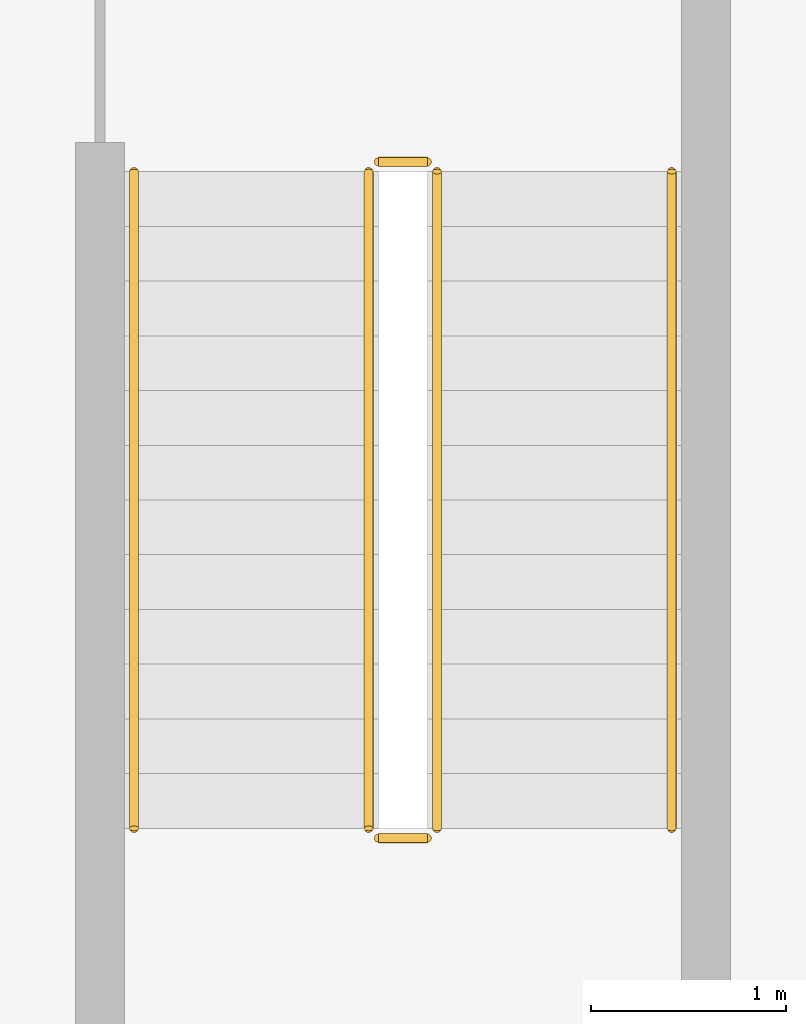
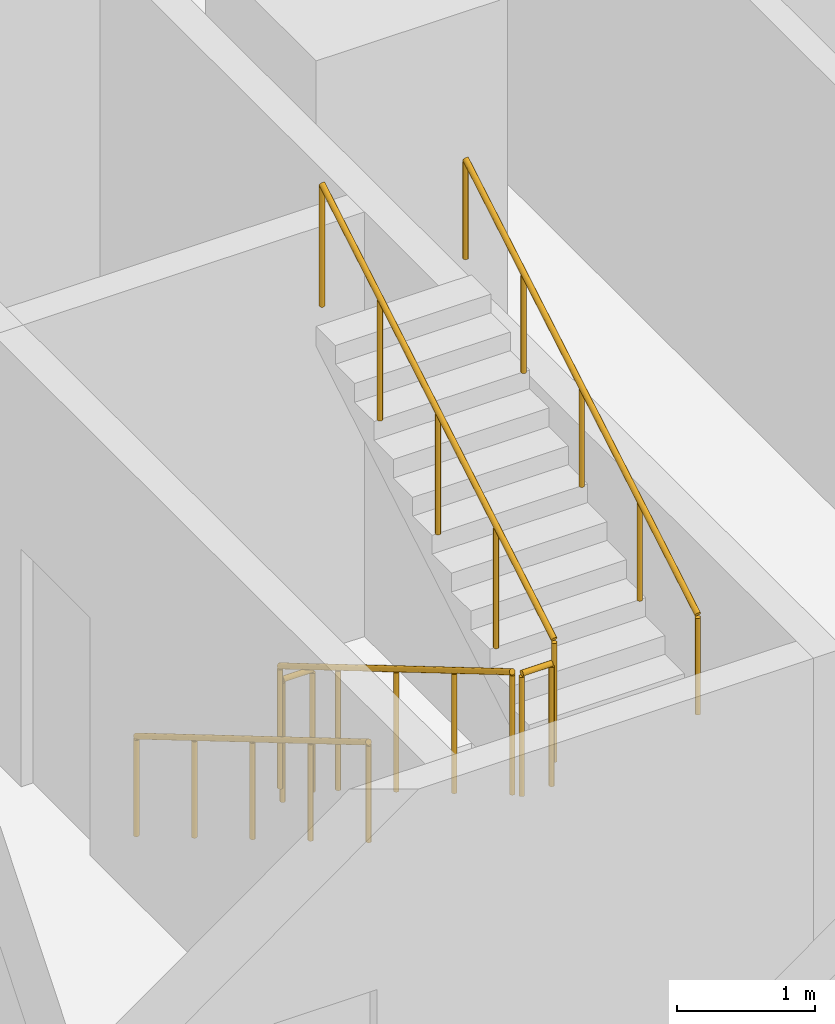
# One storey, part 24 of 29: 6 railings.
"""IFC4 building model written with IfcOpenShell, lengths in metres."""

from ifc_helpers import new_model, si_unit, direction, frame, origin, origin_2d, place, context, subcontext, project, spatial, circle, extrude, material, type_object, element, save


model = new_model("IFC4")

# Units and contexts
model_context = context("Model", 3, precision=1e-05, world=origin(), true_north=direction((0.0, 1.0)))
body_context = subcontext(model_context, "Body", "Model", "MODEL_VIEW")
ifc_project = project(units=[si_unit("LENGTHUNIT", "METRE"), si_unit("AREAUNIT", "SQUARE_METRE"), si_unit("VOLUMEUNIT", "CUBIC_METRE"), si_unit("PLANEANGLEUNIT", "RADIAN"), si_unit("MASSUNIT", "GRAM", prefix="KILO")], contexts=[model_context])

# Site, building, storey
site_placement = place(None, origin())
site = spatial("IfcSite", under=ifc_project, at=site_placement, CompositionType="ELEMENT")
building_placement = place(site_placement, origin())
building = spatial("IfcBuilding", under=site, at=building_placement, Name="Mahtab Terrace Research Tower", CompositionType="ELEMENT")
storey_placement = place(building_placement, frame((0.0, 0.0, 37.300048828125)))
storey = spatial("IfcBuildingStorey", under=building, at=storey_placement, Name="L08", CompositionType="ELEMENT", Elevation=37.300048828125)

# Railings
ifc_material = material(Name="Stainless steel AISI 304", Category="steel")
railing_type_1 = type_object("IfcRailingType", Name="Stair guard 1100", PredefinedType="GUARDRAIL", material=ifc_material)
railing_1_placement = place(storey_placement, frame((2.949951171875, -4.175048828125, 0.165283203125)))
element("IfcRailing", 1, at=railing_1_placement, inside=storey, type_object=railing_type_1, Name="L08 ST2 stair guard 1", PredefinedType="GUARDRAIL", context=body_context, shape_type="SweptSolid", body=[
    extrude(circle(Radius=0.02392578125, at=origin_2d()), frame((0.0, 0.0, 1.076171875), z_axis=(0.0, -0.861011212953, 0.508585972249), x_axis=(1.0, 0.0, 0.0)), (0.0, 0.0, 1.0), 3.90234375),
    extrude(circle(Radius=0.02099609375, at=origin_2d()), origin(), (0.0, 0.0, 1.0), 1.052001953125),
    extrude(circle(Radius=0.02099609375, at=origin_2d()), frame((0.0, -0.83984375, 0.49609375)), (0.0, 0.0, 1.0), 1.052001953125),
    extrude(circle(Radius=0.02099609375, at=origin_2d()), frame((0.0, -1.679931640625, 0.9921875)), (0.0, 0.0, 1.0), 1.052001953125),
    extrude(circle(Radius=0.02099609375, at=origin_2d()), frame((0.0, -2.52001953125, 1.488525390625)), (0.0, 0.0, 1.0), 1.052001953125),
    extrude(circle(Radius=0.02099609375, at=origin_2d()), frame((0.0, -3.35986328125, 1.984619140625)), (0.0, 0.0, 1.0), 1.052001953125),
])
railing_2_placement = place(storey_placement, frame((3.0, -7.5849609375, 2.14990234375)))
element("IfcRailing", 2, at=railing_2_placement, inside=storey, type_object=railing_type_1, Name="L08 ST2 stair guard 2", PredefinedType="GUARDRAIL", context=body_context, shape_type="SweptSolid", body=[
    extrude(circle(Radius=0.02392578125, at=origin_2d()), frame((0.0, 0.0, 1.076171875), z_axis=(1.0, 0.0, 0.0), x_axis=(0.0, 1.0, 0.0)), (0.0, 0.0, 1.0), 0.25),
    extrude(circle(Radius=0.02099609375, at=origin_2d()), origin(), (0.0, 0.0, 1.0), 1.052001953125),
    extrude(circle(Radius=0.02099609375, at=origin_2d()), frame((0.25, 0.0, 0.0)), (0.0, 0.0, 1.0), 1.052001953125),
])
railing_3_placement = place(storey_placement, frame((3.300048828125, -7.534912109375, 2.3154296875)))
element("IfcRailing", 3, at=railing_3_placement, inside=storey, type_object=railing_type_1, Name="L08 ST2 stair guard 3", PredefinedType="GUARDRAIL", context=body_context, shape_type="SweptSolid", body=[
    extrude(circle(Radius=0.02392578125, at=origin_2d()), frame((0.0, 0.0, 1.076171875), z_axis=(0.0, 0.861011212953, 0.508585972249), x_axis=(-1.0, 0.0, 0.0)), (0.0, 0.0, 1.0), 3.90234375),
    extrude(circle(Radius=0.02099609375, at=origin_2d()), origin(), (0.0, 0.0, 1.0), 1.052001953125),
    extrude(circle(Radius=0.02099609375, at=origin_2d()), frame((0.0, 0.83984375, 0.49609375)), (0.0, 0.0, 1.0), 1.052001953125),
    extrude(circle(Radius=0.02099609375, at=origin_2d()), frame((0.0, 1.679931640625, 0.9921875)), (0.0, 0.0, 1.0), 1.052001953125),
    extrude(circle(Radius=0.02099609375, at=origin_2d()), frame((0.0, 2.52001953125, 1.488525390625)), (0.0, 0.0, 1.0), 1.052001953125),
    extrude(circle(Radius=0.02099609375, at=origin_2d()), frame((0.0, 3.35986328125, 1.984619140625)), (0.0, 0.0, 1.0), 1.052001953125),
])
railing_4_placement = place(storey_placement, frame((3.0, -4.125, 0.0)))
element("IfcRailing", 4, at=railing_4_placement, inside=storey, type_object=railing_type_1, Name="L08 ST2 stair guard 4", PredefinedType="GUARDRAIL", context=body_context, shape_type="SweptSolid", body=[
    extrude(circle(Radius=0.02392578125, at=origin_2d()), frame((0.0, 0.0, 1.076171875), z_axis=(1.0, 0.0, 0.0), x_axis=(0.0, 1.0, 0.0)), (0.0, 0.0, 1.0), 0.25),
    extrude(circle(Radius=0.02099609375, at=origin_2d()), origin(), (0.0, 0.0, 1.0), 1.052001953125),
    extrude(circle(Radius=0.02099609375, at=origin_2d()), frame((0.25, 0.0, 0.0)), (0.0, 0.0, 1.0), 1.052001953125),
])
railing_type_2 = type_object("IfcRailingType", Name="Stair handrail 900", PredefinedType="HANDRAIL", material=ifc_material)
railing_5_placement = place(storey_placement, frame((1.75, -4.175048828125, 0.165283203125)))
element("IfcRailing", 5, at=railing_5_placement, inside=storey, type_object=railing_type_2, Name="L08 ST2 stair handrail 1", PredefinedType="HANDRAIL", context=body_context, shape_type="SweptSolid", body=[
    extrude(circle(Radius=0.02392578125, at=origin_2d()), frame((0.0, 0.0, 0.8759765625), z_axis=(0.0, -0.861011212953, 0.508585972249), x_axis=(1.0, 0.0, 0.0)), (0.0, 0.0, 1.0), 3.90234375),
    extrude(circle(Radius=0.02099609375, at=origin_2d()), origin(), (0.0, 0.0, 1.0), 0.851806640625),
    extrude(circle(Radius=0.02099609375, at=origin_2d()), frame((0.0, -0.83984375, 0.49609375)), (0.0, 0.0, 1.0), 0.851806640625),
    extrude(circle(Radius=0.02099609375, at=origin_2d()), frame((0.0, -1.679931640625, 0.9921875)), (0.0, 0.0, 1.0), 0.851806640625),
    extrude(circle(Radius=0.02099609375, at=origin_2d()), frame((0.0, -2.52001953125, 1.488525390625)), (0.0, 0.0, 1.0), 0.851806640625),
    extrude(circle(Radius=0.02099609375, at=origin_2d()), frame((0.0, -3.35986328125, 1.984619140625)), (0.0, 0.0, 1.0), 0.851806640625),
])
railing_6_placement = place(storey_placement, frame((4.5, -7.534912109375, 2.3154296875)))
element("IfcRailing", 6, at=railing_6_placement, inside=storey, type_object=railing_type_2, Name="L08 ST2 stair handrail 2", PredefinedType="HANDRAIL", context=body_context, shape_type="SweptSolid", body=[
    extrude(circle(Radius=0.02392578125, at=origin_2d()), frame((0.0, 0.0, 0.8759765625), z_axis=(0.0, 0.861011212953, 0.508585972249), x_axis=(-1.0, 0.0, 0.0)), (0.0, 0.0, 1.0), 3.90234375),
    extrude(circle(Radius=0.02099609375, at=origin_2d()), origin(), (0.0, 0.0, 1.0), 0.851806640625),
    extrude(circle(Radius=0.02099609375, at=origin_2d()), frame((0.0, 0.83984375, 0.49609375)), (0.0, 0.0, 1.0), 0.851806640625),
    extrude(circle(Radius=0.02099609375, at=origin_2d()), frame((0.0, 1.679931640625, 0.9921875)), (0.0, 0.0, 1.0), 0.851806640625),
    extrude(circle(Radius=0.02099609375, at=origin_2d()), frame((0.0, 2.52001953125, 1.488525390625)), (0.0, 0.0, 1.0), 0.851806640625),
    extrude(circle(Radius=0.02099609375, at=origin_2d()), frame((0.0, 3.35986328125, 1.984619140625)), (0.0, 0.0, 1.0), 0.851806640625),
])

save(model, "model.ifc")
